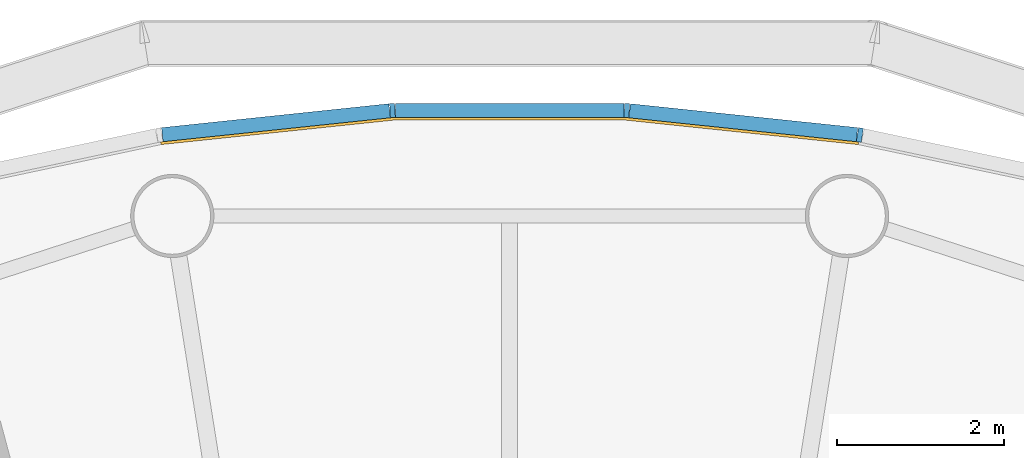
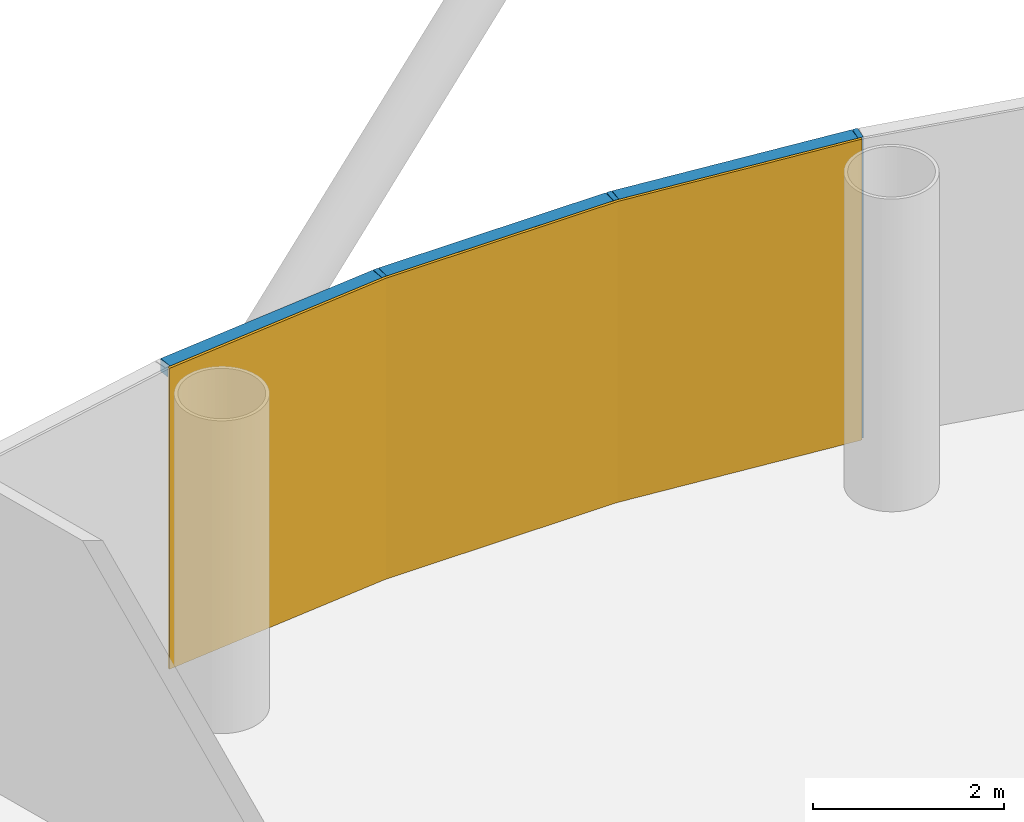
# One storey, part 11 of 13: 6 members, 1 curtain wall.
"""IFC4 building model written with IfcOpenShell, lengths in metres."""

from ifc_helpers import new_model, si_unit, direction, frame, origin, origin_2d, place, context, subcontext, project, spatial, polyline, rectangle, outline, extrude, material, layer, layer_set, material_profile, profile_set, type_object, element, aggregate, save


model = new_model("IFC4")

# Units and contexts
model_context = context("Model", 3, precision=1e-05, world=origin(), true_north=direction((0.0, 1.0)))
body_context = subcontext(model_context, "Body", "Model", "MODEL_VIEW")
ifc_project = project(units=[si_unit("LENGTHUNIT", "METRE"), si_unit("AREAUNIT", "SQUARE_METRE"), si_unit("VOLUMEUNIT", "CUBIC_METRE"), si_unit("PLANEANGLEUNIT", "RADIAN"), si_unit("MASSUNIT", "GRAM", prefix="KILO")], contexts=[model_context])

# Member
ifc_material_1 = material(Name="Anodised aluminium", Category="aluminium")
ifc_material_profile_1 = material_profile(ifc_material_1, rectangle(XDim=0.06005859375, YDim=0.169921875, at=origin_2d()), Name="Mullion 60 x 170 mm anodised aluminium")
ifc_profile_set_1 = profile_set([ifc_material_profile_1], Name="Anodised aluminium")
member_type_1 = type_object("IfcMemberType", Name="Mullion 60 x 170 mm anodised aluminium", PredefinedType="MULLION", material=ifc_profile_set_1)
site_placement = place(None, origin())
building_placement = place(site_placement, origin())
storey_placement = place(building_placement, frame((0.0, 0.0, 218.0)))
member_1_placement = place(storey_placement, frame((94.205810546875, 106.553955078125, 0.0), z_axis=(0.0, 0.0, 1.0), x_axis=(-0.987688340595, 0.15643446504, 0.0)))
member_1 = element("IfcMember", 1, at=member_1_placement, type_object=member_type_1, Name="MULLION L50-12", PredefinedType="MULLION", context=body_context, shape_type="SweptSolid", body=[
    extrude(rectangle(XDim=0.06005859375, YDim=0.169921875, at=origin_2d()), origin(), (0.0, 0.0, 1.0), 3.85009765625),
])

member_2_placement = place(storey_placement, frame((91.406982421875, 106.84814453125, 0.0), z_axis=(0.0, 0.0, 1.0), x_axis=(-0.998629534755, 0.052335956243, 0.0)))
member_2 = element("IfcMember", 2, at=member_2_placement, type_object=member_type_1, Name="MULLION L50-13", PredefinedType="MULLION", context=body_context, shape_type="SweptSolid", body=[
    extrude(rectangle(XDim=0.06005859375, YDim=0.169921875, at=origin_2d()), origin(), (0.0, 0.0, 1.0), 3.85009765625),
])

member_3_placement = place(storey_placement, frame((88.593017578125, 106.84814453125, 0.0), z_axis=(0.0, 0.0, 1.0), x_axis=(-0.998629534755, -0.052335956243, 0.0)))
member_3 = element("IfcMember", 3, at=member_3_placement, type_object=member_type_1, Name="MULLION L50-14", PredefinedType="MULLION", context=body_context, shape_type="SweptSolid", body=[
    extrude(rectangle(XDim=0.06005859375, YDim=0.169921875, at=origin_2d()), origin(), (0.0, 0.0, 1.0), 3.85009765625),
])

ifc_material_2 = material(Name="Anodised aluminium", Category="aluminium")
ifc_material_profile_2 = material_profile(ifc_material_2, rectangle(XDim=0.169921875, YDim=0.1650390625, at=origin_2d()), Name="Transom 165 x 170 mm anodised aluminium")
ifc_profile_set_2 = profile_set([ifc_material_profile_2], Name="Anodised aluminium")
member_type_2 = type_object("IfcMemberType", Name="Transom 165 x 170 mm anodised aluminium", PredefinedType="USERDEFINED", material=ifc_profile_set_2)
member_4_placement = place(storey_placement, frame((94.17138671875, 106.5576171875, 3.767578125), z_axis=(-0.994515195344, 0.104592190102, 0.0), x_axis=(-0.104592190102, -0.994515195344, 0.0)))
member_4 = element("IfcMember", 4, at=member_4_placement, type_object=member_type_2, Name="TRANSOM L50-12", ObjectType="TRANSOM", PredefinedType="USERDEFINED", context=body_context, shape_type="SweptSolid", body=[
    extrude(rectangle(XDim=0.169921875, YDim=0.1650390625, at=origin_2d()), origin(), (0.0, 0.0, 1.0), 2.7451171875),
])

member_5_placement = place(storey_placement, frame((91.37255859375, 106.848388671875, 3.767578125), z_axis=(-1.0, 0.0, 0.0), x_axis=(0.0, -1.0, 0.0)))
member_5 = element("IfcMember", 5, at=member_5_placement, type_object=member_type_2, Name="TRANSOM L50-13", ObjectType="TRANSOM", PredefinedType="USERDEFINED", context=body_context, shape_type="SweptSolid", body=[
    extrude(rectangle(XDim=0.169921875, YDim=0.1650390625, at=origin_2d()), origin(), (0.0, 0.0, 1.0), 2.7451171875),
])

member_6_placement = place(storey_placement, frame((88.55859375, 106.8447265625, 3.767578125), z_axis=(-0.994515195344, -0.104592190102, 0.0), x_axis=(0.104592190102, -0.994515195344, 0.0)))
member_6 = element("IfcMember", 6, at=member_6_placement, type_object=member_type_2, Name="TRANSOM L50-14", ObjectType="TRANSOM", PredefinedType="USERDEFINED", context=body_context, shape_type="SweptSolid", body=[
    extrude(rectangle(XDim=0.169921875, YDim=0.1650390625, at=origin_2d()), origin(), (0.0, 0.0, 1.0), 2.7451171875),
])

# Site, building, storey
site = spatial("IfcSite", under=ifc_project, at=site_placement, CompositionType="ELEMENT")
building = spatial("IfcBuilding", under=site, at=building_placement, Name="Entoto Ring Tower", CompositionType="ELEMENT")
storey = spatial("IfcBuildingStorey", under=building, at=storey_placement, Name="L50", CompositionType="ELEMENT", Elevation=218.0)

# Curtain wall
ifc_material_3 = material(Name="Clear low-iron glass", Category="glass")
ifc_layer = layer(ifc_material_3, 0.031982421875)
ifc_layer_set = layer_set([ifc_layer], Name="Clear low-iron glass")
curtain_wall_type = type_object("IfcCurtainWallType", Name="Curtain wall system CW4 glazing 32 mm", PredefinedType="NOTDEFINED", material=ifc_layer_set)
curtain_wall_placement = place(storey_placement, origin())
curtain_wall = element("IfcCurtainWall", 7, at=curtain_wall_placement, inside=storey, type_object=curtain_wall_type, Name="CW4 L50-05", PredefinedType="NOTDEFINED", context=body_context, shape_type="SweptSolid", body=[
    extrude(outline(polyline([(94.1923828125, 106.469970703125), (91.402587890625, 106.76318359375), (88.597412109375, 106.76318359375), (85.8076171875, 106.469970703125), (85.8125, 106.4384765625), (88.59912109375, 106.731201171875), (91.40087890625, 106.731201171875), (94.1875, 106.4384765625), (94.1923828125, 106.469970703125)])), origin(), (0.0, 0.0, 1.0), 3.85009765625),
])

aggregate(curtain_wall, [member_1, member_2, member_3, member_4, member_5, member_6])

save(model, "model.ifc")
